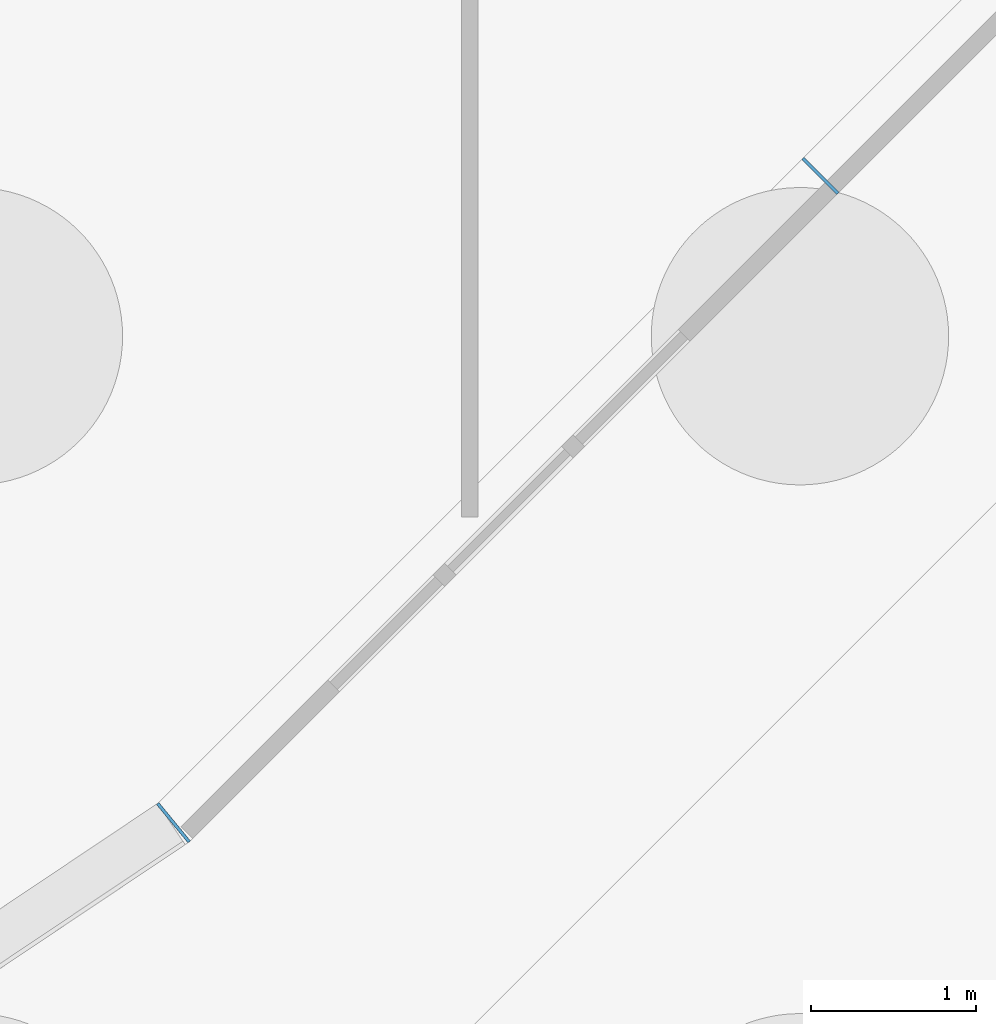
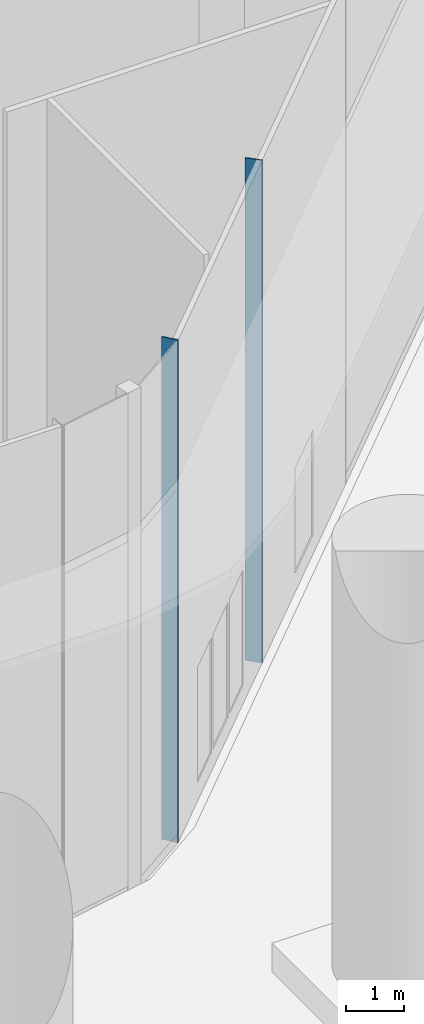
# One storey, part 12 of 31: 2 members, 2 elements without a shape of their own.
"""IFC4 building model written with IfcOpenShell, lengths in metres."""

from ifc_helpers import new_model, si_unit, direction, frame, origin, origin_2d, place, context, subcontext, project, spatial, rectangle, extrude, material, material_profile, profile_set, type_object, element, aggregate, save


model = new_model("IFC4")

# Units and contexts
model_context = context("Model", 3, precision=1e-05, world=origin(), true_north=direction((0.0, 1.0)))
body_context = subcontext(model_context, "Body", "Model", "MODEL_VIEW")
ifc_project = project(units=[si_unit("LENGTHUNIT", "METRE"), si_unit("AREAUNIT", "SQUARE_METRE"), si_unit("VOLUMEUNIT", "CUBIC_METRE"), si_unit("PLANEANGLEUNIT", "RADIAN"), si_unit("MASSUNIT", "GRAM", prefix="KILO")], contexts=[model_context])

# Site, building, storey
site_placement = place(None, origin())
site = spatial("IfcSite", under=ifc_project, at=site_placement, CompositionType="ELEMENT")
building_placement = place(site_placement, origin())
building = spatial("IfcBuilding", under=site, at=building_placement, Name="Orlundy Tower", CompositionType="ELEMENT")
storey_placement = place(building_placement, origin())
storey = spatial("IfcBuildingStorey", under=building, at=storey_placement, Name="L00", CompositionType="ELEMENT", Elevation=0.0)

# Curtain wall, member
ifc_material_1 = material(Name="Aluminium bronze anodised", Category="aluminium")
curtain_wall_type = type_object("IfcCurtainWallType", Name="CW3 wall", PredefinedType="NOTDEFINED", material=ifc_material_1)
curtain_wall_1_placement = place(storey_placement, origin())
curtain_wall_1 = element("IfcCurtainWall", 1, at=curtain_wall_1_placement, inside=storey, type_object=curtain_wall_type, Name="CW3 run 020", PredefinedType="NOTDEFINED")
ifc_material_2 = material(Name="Toughened glass", Category="glass")
ifc_material_profile = material_profile(ifc_material_2, rectangle(XDim=0.300048828125, YDim=0.01904296875, at=origin_2d()), Name="CW3 glass fin 19x300")
ifc_profile_set = profile_set([ifc_material_profile], Name="Toughened glass")
member_type = type_object("IfcMemberType", Name="CW3 glass fin 19x300", PredefinedType="MULLION", material=ifc_profile_set)
member_1_placement = place(storey_placement, frame((15.123291015625, -19.02880859375, -0.39990234375), z_axis=(0.0, 0.0, 1.0), x_axis=(0.707106781187, -0.707106781187, 0.0)))
member_1 = element("IfcMember", 2, at=member_1_placement, type_object=member_type, Name="CW3 mullion 35", PredefinedType="MULLION", context=body_context, shape_type="SweptSolid", body=[
    extrude(rectangle(XDim=0.300048828125, YDim=0.01904296875, at=origin_2d()), origin(), (0.0, 0.0, 1.0), 10.5),
])
aggregate(curtain_wall_1, [member_1])

curtain_wall_2_placement = place(storey_placement, origin())
curtain_wall_2 = element("IfcCurtainWall", 3, at=curtain_wall_2_placement, inside=storey, type_object=curtain_wall_type, Name="CW3 run 021", PredefinedType="NOTDEFINED")
member_2_placement = place(storey_placement, frame((11.207763671875, -22.944580078125, -0.39990234375), z_axis=(0.0, 0.0, 1.0), x_axis=(0.63467582541, -0.772778491315, 0.0)))
member_2 = element("IfcMember", 4, at=member_2_placement, type_object=member_type, Name="CW3 mullion 36", PredefinedType="MULLION", context=body_context, shape_type="SweptSolid", body=[
    extrude(rectangle(XDim=0.300048828125, YDim=0.01904296875, at=origin_2d()), origin(), (0.0, 0.0, 1.0), 10.5),
])
aggregate(curtain_wall_2, [member_2])

save(model, "model.ifc")
